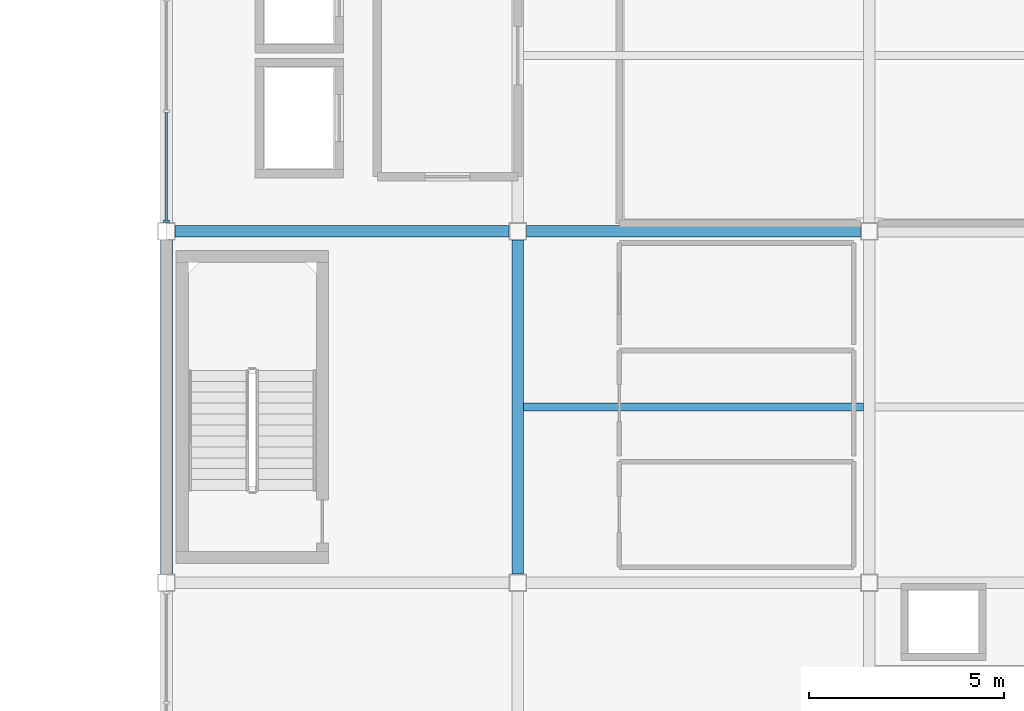
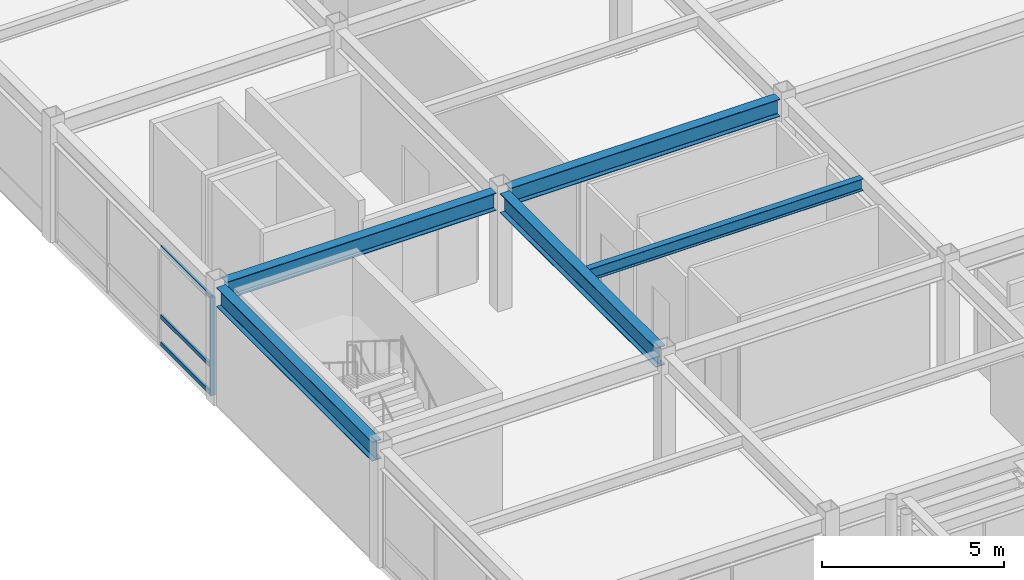
# One storey, part 56 of 108: 5 beams, 4 members, 1 element without a shape of its own.
"""IFC4 building model written with IfcOpenShell, lengths in metres."""

from ifc_helpers import new_model, si_unit, direction, frame, origin, origin_2d, place, context, subcontext, project, spatial, rectangle, i_section, extrude, material, material_profile, profile_set, type_object, element, aggregate, save


model = new_model("IFC4")

# Units and contexts
model_context = context("Model", 3, precision=1e-05, world=origin(), true_north=direction((0.0, 1.0)))
body_context = subcontext(model_context, "Body", "Model", "MODEL_VIEW")
ifc_project = project(units=[si_unit("LENGTHUNIT", "METRE"), si_unit("AREAUNIT", "SQUARE_METRE"), si_unit("VOLUMEUNIT", "CUBIC_METRE"), si_unit("PLANEANGLEUNIT", "RADIAN"), si_unit("MASSUNIT", "GRAM", prefix="KILO")], contexts=[model_context])

# Site, building, storey
site_placement = place(None, origin())
site = spatial("IfcSite", under=ifc_project, at=site_placement, CompositionType="ELEMENT")
building_placement = place(site_placement, origin())
building = spatial("IfcBuilding", under=site, at=building_placement, Name="Suzunagisa Mobility Hub", CompositionType="ELEMENT")
storey_placement = place(building_placement, frame((0.0, 0.0, 9.300048828125)))
storey = spatial("IfcBuildingStorey", under=building, at=storey_placement, Name="L02", CompositionType="ELEMENT", Elevation=9.300048828125)

# Curtain wall, members
ifc_material_1 = material(Name="Thermally Broken Anodized Aluminum and Low-E Glazing", Category="aluminium")
curtain_wall_type = type_object("IfcCurtainWallType", Name="Unitised Curtain Wall CW-43 8500x3300", PredefinedType="USERDEFINED", material=ifc_material_1)
curtain_wall_placement = place(storey_placement, origin())
curtain_wall = element("IfcCurtainWall", 1, at=curtain_wall_placement, inside=storey, type_object=curtain_wall_type, Name="L02 Unitised Curtain Wall CW-202", ObjectType="UNITISED CURTAIN WALL", PredefinedType="USERDEFINED")
ifc_material_2 = material(Name="Anodized Aluminum 6063-T6", Category="aluminium")
ifc_material_profile_1 = material_profile(ifc_material_2, rectangle(XDim=0.06494140625, YDim=0.139892578125, at=origin_2d()), Name="TRAN-65x140")
ifc_profile_set_1 = profile_set([ifc_material_profile_1], Name="Anodized Aluminum 6063-T6")
member_type_1 = type_object("IfcMemberType", Name="Curtain Wall Framing CM-01 TRAN-65x140", PredefinedType="USERDEFINED", material=ifc_profile_set_1)
member_1_placement = place(storey_placement, frame((144.0, 65.047119140625, 0.032470703125), z_axis=(0.0, -1.0, 0.0), x_axis=(1.0, 0.0, 0.0)))
member_1 = element("IfcMember", 2, at=member_1_placement, type_object=member_type_1, Name="Curtain Wall Transom 202-T3.1", ObjectType="TRANSOM", PredefinedType="USERDEFINED", context=body_context, shape_type="SweptSolid", body=[
    extrude(rectangle(XDim=0.06494140625, YDim=0.139892578125, at=origin_2d()), origin(), (0.0, 0.0, 1.0), 2.76416015625),
])
member_2_placement = place(storey_placement, frame((144.0, 65.047119140625, 0.949951171875), z_axis=(0.0, -1.0, 0.0), x_axis=(1.0, 0.0, 0.0)))
member_2 = element("IfcMember", 3, at=member_2_placement, type_object=member_type_1, Name="Curtain Wall Transom 202-T3.2", ObjectType="TRANSOM", PredefinedType="USERDEFINED", context=body_context, shape_type="SweptSolid", body=[
    extrude(rectangle(XDim=0.06494140625, YDim=0.139892578125, at=origin_2d()), origin(), (0.0, 0.0, 1.0), 2.76416015625),
])
member_3_placement = place(storey_placement, frame((144.0, 65.047119140625, 3.267333984375), z_axis=(0.0, -1.0, 0.0), x_axis=(1.0, 0.0, 0.0)))
member_3 = element("IfcMember", 4, at=member_3_placement, type_object=member_type_1, Name="Curtain Wall Transom 202-T3.3", ObjectType="TRANSOM", PredefinedType="USERDEFINED", context=body_context, shape_type="SweptSolid", body=[
    extrude(rectangle(XDim=0.06494140625, YDim=0.139892578125, at=origin_2d()), origin(), (0.0, 0.0, 1.0), 2.76416015625),
])
ifc_material_profile_2 = material_profile(ifc_material_2, rectangle(XDim=0.06005859375, YDim=0.14990234375, at=origin_2d()), Name="MULL-60x150")
ifc_profile_set_2 = profile_set([ifc_material_profile_2], Name="Anodized Aluminum 6063-T6")
member_type_2 = type_object("IfcMemberType", Name="Curtain Wall Framing CM-03 MULL-60x150", PredefinedType="MULLION", material=ifc_profile_set_2)
member_4_placement = place(storey_placement, frame((144.0, 62.2548828125, 0.0), z_axis=(0.0, 0.0, 1.0), x_axis=(0.0, -1.0, 0.0)))
member_4 = element("IfcMember", 5, at=member_4_placement, type_object=member_type_2, Name="Curtain Wall Mullion 202-M4", PredefinedType="MULLION", context=body_context, shape_type="SweptSolid", body=[
    extrude(rectangle(XDim=0.06005859375, YDim=0.14990234375, at=origin_2d()), origin(), (0.0, 0.0, 1.0), 3.300048828125),
])
aggregate(curtain_wall, [member_4, member_1, member_2, member_3])

# Beams
ifc_material_3 = material(Name="Steel SN490B", Category="steel")
ifc_material_profile_3 = material_profile(ifc_material_3, i_section(OverallWidth=0.300048828125, OverallDepth=0.64990234375, WebThickness=0.012939453125, FlangeThickness=0.02197265625, FilletRadius=0.01611328125, at=origin_2d()), Name="H-650x300x13x22")
ifc_profile_set_3 = profile_set([ifc_material_profile_3], Name="Steel SN490B")
beam_type_1 = type_object("IfcBeamType", Name="Steel Beam BM-10 H-650x300x13x22", PredefinedType="BEAM", material=ifc_profile_set_3)
for number, where, z_axis, x_axis, name in (
    (6, (144.0, 53.220947265625, 3.625), (0.0, 1.0, 0.0), (-1.0, 0.0, 0.0), "L02 Primary Girder GY-1913"),
    (7, (153.0, 53.220947265625, 3.625), (0.0, 1.0, 0.0), (-1.0, 0.0, 0.0), "L02 Primary Girder GY-1919"),
):
    element("IfcBeam", number, at=place(storey_placement, frame(where, z_axis=z_axis, x_axis=x_axis)), inside=storey, type_object=beam_type_1, Name=name, PredefinedType="BEAM", context=body_context, shape_type="SweptSolid", body=[
        extrude(i_section(OverallWidth=0.300048828125, OverallDepth=0.64990234375, WebThickness=0.012939453125, FlangeThickness=0.02197265625, FilletRadius=0.01611328125, at=origin_2d()), origin(), (0.0, 0.0, 1.0), 8.55810546875),
    ])
ifc_material_4 = material(Name="Steel SN400B", Category="steel")
ifc_material_profile_4 = material_profile(ifc_material_4, i_section(OverallWidth=0.199951171875, OverallDepth=0.39990234375, WebThickness=0.008056640625, FlangeThickness=0.012939453125, FilletRadius=0.012939453125, at=origin_2d()), Name="H-400x200x8x13")
ifc_profile_set_4 = profile_set([ifc_material_profile_4], Name="Steel SN400B")
beam_type_2 = type_object("IfcBeamType", Name="Steel Beam BM-14 H-400x200x8x13", PredefinedType="JOIST", material=ifc_profile_set_4)
beam_placement = place(storey_placement, frame((153.14990234375, 57.5, 3.75), z_axis=(1.0, 0.0, 0.0), x_axis=(0.0, 1.0, 0.0)))
element("IfcBeam", 8, at=beam_placement, inside=storey, type_object=beam_type_2, Name="L02 Composite Floor Joist J-1946", PredefinedType="JOIST", context=body_context, shape_type="SweptSolid", body=[
    extrude(i_section(OverallWidth=0.199951171875, OverallDepth=0.39990234375, WebThickness=0.008056640625, FlangeThickness=0.012939453125, FilletRadius=0.012939453125, at=origin_2d()), origin(), (0.0, 0.0, 1.0), 8.7001953125),
])
ifc_material_profile_5 = material_profile(ifc_material_3, i_section(OverallWidth=0.300048828125, OverallDepth=0.587890625, WebThickness=0.011962890625, FlangeThickness=0.02001953125, FilletRadius=0.012939453125, at=origin_2d()), Name="H-588x300x12x20")
ifc_profile_set_5 = profile_set([ifc_material_profile_5], Name="Steel SN490B")
beam_type_3 = type_object("IfcBeamType", Name="Steel Beam BM-16 H-588x300x12x20", PredefinedType="BEAM", material=ifc_profile_set_5)
for number, where, z_axis, x_axis, name in (
    (9, (144.220947265625, 62.0, 3.656005859375), (1.0, 0.0, 0.0), (0.0, 1.0, 0.0), "L02 Primary Girder GX-1892"),
    (10, (153.220947265625, 62.0, 3.656005859375), (1.0, 0.0, 0.0), (0.0, 1.0, 0.0), "L02 Primary Girder GX-1893"),
):
    element("IfcBeam", number, at=place(storey_placement, frame(where, z_axis=z_axis, x_axis=x_axis)), inside=storey, type_object=beam_type_3, Name=name, PredefinedType="BEAM", context=body_context, shape_type="SweptSolid", body=[
        extrude(i_section(OverallWidth=0.300048828125, OverallDepth=0.587890625, WebThickness=0.011962890625, FlangeThickness=0.02001953125, FilletRadius=0.012939453125, at=origin_2d()), origin(), (0.0, 0.0, 1.0), 8.55810546875),
    ])

save(model, "model.ifc")
